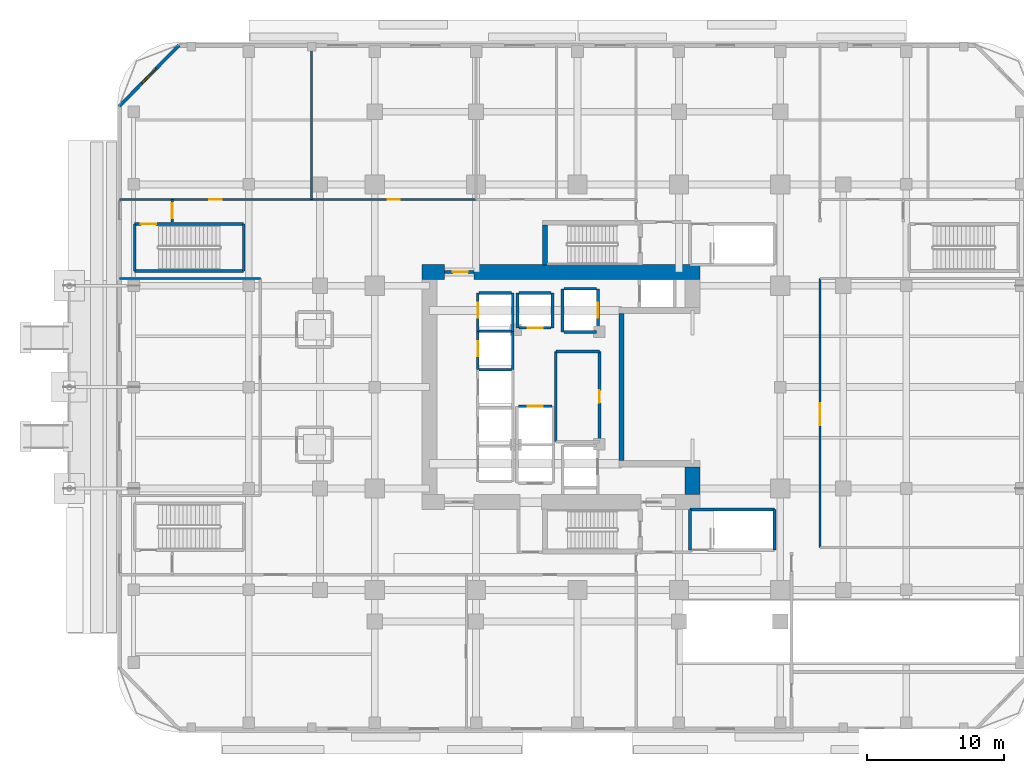
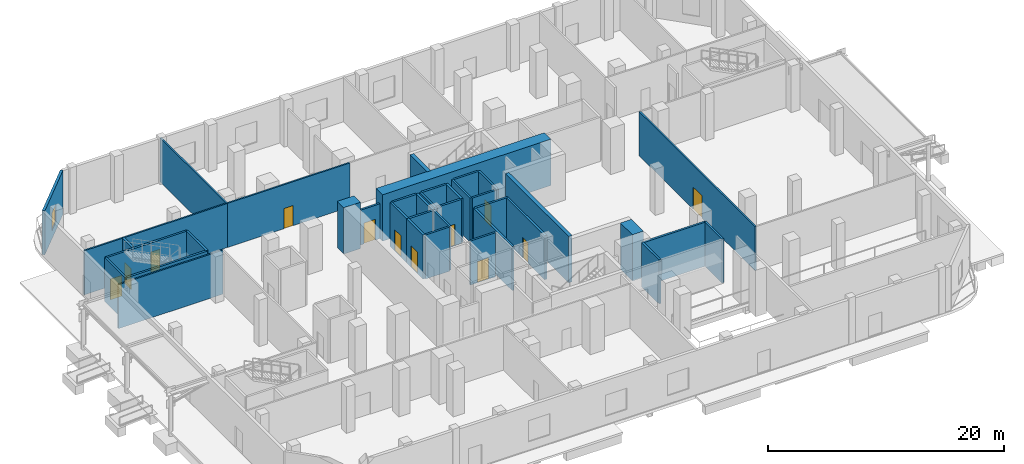
# One storey, part 15 of 24: 39 walls, 12 doors, 1 window, 13 openings.
"""IFC4 building model written with IfcOpenShell, lengths in metres."""

from ifc_helpers import new_model, si_unit, direction, frame, frame_2d, origin, place, context, subcontext, project, spatial, rectangle, extrude, material, layer, layer_set, type_object, element, fill, save


model = new_model("IFC4")

# Units and contexts
model_context = context("Model", 3, precision=1e-05, world=origin(), true_north=direction((0.0, 1.0)))
body_context = subcontext(model_context, "Body", "Model", "MODEL_VIEW")
ifc_project = project(units=[si_unit("LENGTHUNIT", "METRE"), si_unit("AREAUNIT", "SQUARE_METRE"), si_unit("VOLUMEUNIT", "CUBIC_METRE"), si_unit("PLANEANGLEUNIT", "RADIAN"), si_unit("MASSUNIT", "GRAM", prefix="KILO")], contexts=[model_context])

# Site, building, storey
site_placement = place(None, origin())
site = spatial("IfcSite", under=ifc_project, at=site_placement, CompositionType="ELEMENT")
building_placement = place(site_placement, origin())
building = spatial("IfcBuilding", under=site, at=building_placement, Name="Khorvyn Point Tower", CompositionType="ELEMENT")
storey_placement = place(building_placement, origin())
storey = spatial("IfcBuildingStorey", under=building, at=storey_placement, Name="L01", CompositionType="ELEMENT", Elevation=0.0)

# Wall, opening, window
ifc_material_1 = material(Name="Pale anodised aluminium rainscreen on steel stud", Category="steel")
ifc_layer_1 = layer(ifc_material_1, 0.239990234375)
ifc_layer_set_1 = layer_set([ifc_layer_1], Name="Anodised Aluminium Insulated Corner Spandrel Wall 240")
wall_type_1 = type_object("IfcWallType", Name="Anodised Aluminium Insulated Corner Spandrel Wall 240", PredefinedType="SOLIDWALL", material=ifc_layer_set_1)
wall_1_placement = place(storey_placement, frame((-33.449951171875, 20.5, 0.0), z_axis=(0.0, 0.0, 1.0), x_axis=(0.69901822973, 0.715103848756, 0.0)))
wall_1 = element("IfcWall", 1, at=wall_1_placement, inside=storey, type_object=wall_type_1, Name="L01 Rounded Corner Wall NW", PredefinedType="SOLIDWALL", context=body_context, shape_type="SweptSolid", body=[
    extrude(rectangle(XDim=6.222900390625, YDim=0.239990234375, at=frame_2d((3.111328125, 0.0))), origin(), (0.0, 0.0, 1.0), 4.56005859375),
])
opening_1_placement = place(wall_1_placement, frame((2.361572265625, 0.0, 0.85009765625)))
opening_1 = element("IfcOpeningElement", 2, at=opening_1_placement, cuts=wall_1, Name="Opening WN-1518", PredefinedType="OPENING", context=body_context, shape_type="SweptSolid", body=[
    extrude(rectangle(XDim=1.5, YDim=1.85009765625, at=frame_2d((0.75, 0.925048828125))), frame((0.0, 0.1298828125, 0.0), z_axis=(0.0, -1.0, 0.0), x_axis=(1.0, 0.0, 0.0)), (0.0, 0.0, 1.0), 0.260009765625),
])
ifc_material_2 = material(Name="Anodised aluminium 6063-T6 and laminated Low-E glass", Category="aluminium")
window_type = type_object("IfcWindowType", Name="Anodised Aluminium Rounded-Corner Panoramic Window 1500x1850", PartitioningType="SINGLE_PANEL", PredefinedType="WINDOW", material=ifc_material_2)
window_placement = place(opening_1_placement, origin())
window = element("IfcWindow", 3, at=window_placement, inside=storey, type_object=window_type, Name="L01 Corner Window NW", OverallHeight=1.85009765625, OverallWidth=1.5, PartitioningType="SINGLE_PANEL", PredefinedType="WINDOW", context=body_context, shape_type="SweptSolid", body=[
    extrude(rectangle(XDim=1.5, YDim=1.85009765625, at=frame_2d((0.75, 0.925048828125))), frame((0.0, 0.030029296875, 0.0), z_axis=(0.0, -1.0, 0.0), x_axis=(1.0, 0.0, 0.0)), (0.0, 0.0, 1.0), 0.06005859375),
])
fill(opening_1, window)

# Wall, opening, door
ifc_material_3 = material(Name="Concrete C40/50", Category="concrete")
ifc_layer_2 = layer(ifc_material_3, 0.199951171875)
ifc_layer_set_2 = layer_set([ifc_layer_2], Name="Concrete C40/50 Fire-Lobby Compartment Wall 200")
wall_type_2 = type_object("IfcWallType", Name="Concrete C40/50 Fire-Lobby Compartment Wall 200", PredefinedType="SOLIDWALL", material=ifc_layer_set_2)
wall_2_placement = place(storey_placement, frame((-9.699951171875, 8.39990234375, 0.0), z_axis=(0.0, 0.0, 1.0), x_axis=(1.0, 0.0, 0.0)))
wall_2 = element("IfcWall", 4, at=wall_2_placement, inside=storey, type_object=wall_type_2, Name="Wall", PredefinedType="SOLIDWALL", context=body_context, shape_type="SweptSolid", body=[
    extrude(rectangle(XDim=2.14990234375, YDim=0.199951171875, at=frame_2d((1.074951171875, 0.0))), origin(), (0.0, 0.0, 1.0), 3.60009765625),
])
opening_2_placement = place(wall_2_placement, frame((0.597900390625, 0.0, 0.0)))
opening_2 = element("IfcOpeningElement", 5, at=opening_2_placement, cuts=wall_2, Name="Opening ID-FL90", PredefinedType="OPENING", context=body_context, shape_type="SweptSolid", body=[
    extrude(rectangle(XDim=1.10009765625, YDim=2.14990234375, at=frame_2d((0.550048828125, 1.074951171875))), frame((0.0, 0.10986328125, 0.0), z_axis=(0.0, -1.0, 0.0), x_axis=(1.0, 0.0, 0.0)), (0.0, 0.0, 1.0), 0.219970703125),
])
ifc_material_4 = material(Name="Galvanised powder-coated steel", Category="steel")
door_type_1 = type_object("IfcDoorType", Name="Fire-Rated Steel Lobby and Stair Door 1100x2150", OperationType="NOTDEFINED", PredefinedType="DOOR", material=ifc_material_4)
door_1_placement = place(opening_2_placement, origin())
door_1 = element("IfcDoor", 6, at=door_1_placement, inside=storey, type_object=door_type_1, Name="Door", OperationType="SINGLE_SWING_RIGHT", OverallHeight=2.14990234375, OverallWidth=1.10009765625, PredefinedType="DOOR", context=body_context, shape_type="SweptSolid", body=[
    extrude(rectangle(XDim=1.10009765625, YDim=2.14990234375, at=frame_2d((0.550048828125, 1.074951171875))), frame((0.0, 0.02490234375, 0.0), z_axis=(0.0, -1.0, 0.0), x_axis=(1.0, 0.0, 0.0)), (0.0, 0.0, 1.0), 0.050048828125),
])
fill(opening_2, door_1)

wall_3_placement = place(storey_placement, frame((1.610107421875, -3.97998046875, 0.0), z_axis=(0.0, 0.0, 1.0), x_axis=(0.0, 1.0, 0.0)))
wall_3 = element("IfcWall", 7, at=wall_3_placement, inside=storey, type_object=wall_type_2, Name="Wall", PredefinedType="SOLIDWALL", context=body_context, shape_type="SweptSolid", body=[
    extrude(rectangle(XDim=6.580078125, YDim=0.199951171875, at=frame_2d((3.2900390625, 0.0))), origin(), (0.0, 0.0, 1.0), 4.56005859375),
])
opening_3_placement = place(wall_3_placement, frame((2.830078125, 0.0, 0.0)))
opening_3 = element("IfcOpeningElement", 8, at=opening_3_placement, cuts=wall_3, Name="Opening ID-RS60", PredefinedType="OPENING", context=body_context, shape_type="SweptSolid", body=[
    extrude(rectangle(XDim=0.919921875, YDim=2.10009765625, at=frame_2d((0.4599609375, 1.050048828125))), frame((0.0, 0.10986328125, 0.0), z_axis=(0.0, -1.0, 0.0), x_axis=(1.0, 0.0, 0.0)), (0.0, 0.0, 1.0), 0.219970703125),
])
door_type_2 = type_object("IfcDoorType", Name="Fire-Rated Riser and Store Steel Door 920x2100", OperationType="NOTDEFINED", PredefinedType="DOOR", material=ifc_material_4)
door_2_placement = place(opening_3_placement, origin())
door_2 = element("IfcDoor", 9, at=door_2_placement, inside=storey, type_object=door_type_2, Name="Door", OperationType="SINGLE_SWING_RIGHT", OverallHeight=2.10009765625, OverallWidth=0.919921875, PredefinedType="DOOR", context=body_context, shape_type="SweptSolid", body=[
    extrude(rectangle(XDim=0.919921875, YDim=2.10009765625, at=frame_2d((0.4599609375, 1.050048828125))), frame((0.0, 0.02490234375, 0.0), z_axis=(0.0, -1.0, 0.0), x_axis=(1.0, 0.0, 0.0)), (0.0, 0.0, 1.0), 0.050048828125),
])
fill(opening_3, door_2)

wall_4_placement = place(storey_placement, frame((-29.580078125, 12.06005859375, 0.0), z_axis=(0.0, 0.0, 1.0), x_axis=(0.0, 1.0, 0.0)))
wall_4 = element("IfcWall", 10, at=wall_4_placement, inside=storey, type_object=wall_type_2, Name="Wall", PredefinedType="SOLIDWALL", context=body_context, shape_type="SweptSolid", body=[
    extrude(rectangle(XDim=1.639892578125, YDim=0.199951171875, at=frame_2d((0.81982421875, 0.0))), origin(), (0.0, 0.0, 1.0), 4.56005859375),
])
opening_4_placement = place(wall_4_placement, frame((0.27001953125, 0.0, 0.0)))
opening_4 = element("IfcOpeningElement", 11, at=opening_4_placement, cuts=wall_4, Name="Opening ID-FL90", PredefinedType="OPENING", context=body_context, shape_type="SweptSolid", body=[
    extrude(rectangle(XDim=1.10009765625, YDim=2.14990234375, at=frame_2d((0.550048828125, 1.074951171875))), frame((0.0, 0.10986328125, 0.0), z_axis=(0.0, -1.0, 0.0), x_axis=(1.0, 0.0, 0.0)), (0.0, 0.0, 1.0), 0.219970703125),
])
door_3_placement = place(opening_4_placement, origin())
door_3 = element("IfcDoor", 12, at=door_3_placement, inside=storey, type_object=door_type_1, Name="Door", OperationType="SINGLE_SWING_RIGHT", OverallHeight=2.14990234375, OverallWidth=1.10009765625, PredefinedType="DOOR", context=body_context, shape_type="SweptSolid", body=[
    extrude(rectangle(XDim=1.10009765625, YDim=2.14990234375, at=frame_2d((0.550048828125, 1.074951171875))), frame((0.0, 0.02490234375, 0.0), z_axis=(0.0, -1.0, 0.0), x_axis=(1.0, 0.0, 0.0)), (0.0, 0.0, 1.0), 0.050048828125),
])
fill(opening_4, door_3)

# Walls
wall_5_placement = place(storey_placement, frame((-1.580078125, -3.97998046875, 0.0), z_axis=(0.0, 0.0, 1.0), x_axis=(0.0, 1.0, 0.0)))
element("IfcWall", 13, at=wall_5_placement, inside=storey, type_object=wall_type_2, Name="Wall", PredefinedType="SOLIDWALL", context=body_context, shape_type="SweptSolid", body=[
    extrude(rectangle(XDim=6.580078125, YDim=0.199951171875, at=frame_2d((3.2900390625, 0.0))), origin(), (0.0, 0.0, 1.0), 4.56005859375),
])
wall_6_placement = place(storey_placement, frame((-1.580078125, 2.60009765625, 0.0), z_axis=(0.0, 0.0, 1.0), x_axis=(1.0, 0.0, 0.0)))
element("IfcWall", 14, at=wall_6_placement, inside=storey, type_object=wall_type_2, Name="Wall", PredefinedType="SOLIDWALL", context=body_context, shape_type="SweptSolid", body=[
    extrude(rectangle(XDim=3.190185546875, YDim=0.199951171875, at=frame_2d((1.59521484375, 0.0))), origin(), (0.0, 0.0, 1.0), 4.56005859375),
])
ifc_layer_3 = layer(ifc_material_3, 0.35009765625)
ifc_layer_set_3 = layer_set([ifc_layer_3], Name="Concrete C40/50 Stair Shaft Structural Wall 350")
wall_type_3 = type_object("IfcWallType", Name="Concrete C40/50 Stair Shaft Structural Wall 350", PredefinedType="SHEAR", material=ifc_layer_set_3)
wall_7_placement = place(storey_placement, frame((3.219970703125, -5.375, 0.0), z_axis=(0.0, 0.0, 1.0), x_axis=(0.0, 1.0, 0.0)))
element("IfcWall", 15, at=wall_7_placement, inside=storey, type_object=wall_type_3, Name="Wall", PredefinedType="SHEAR", context=body_context, shape_type="SweptSolid", body=[
    extrude(rectangle(XDim=10.75, YDim=0.35009765625, at=frame_2d((5.375, 0.0))), origin(), (0.0, 0.0, 1.0), 4.800048828125),
])
wall_8_placement = place(storey_placement, frame((-2.3798828125, 8.89990234375, 0.0), z_axis=(0.0, 0.0, 1.0), x_axis=(0.0, 1.0, 0.0)))
element("IfcWall", 16, at=wall_8_placement, inside=storey, type_object=wall_type_3, Name="L01 ST-02 West Shaft Wall", PredefinedType="SHEAR", context=body_context, shape_type="SweptSolid", body=[
    extrude(rectangle(XDim=2.925048828125, YDim=0.35009765625, at=frame_2d((1.46240234375, 0.0))), origin(), (0.0, 0.0, 1.0), 4.800048828125),
])
ifc_layer_4 = layer(ifc_material_3, 0.199951171875)
ifc_layer_set_4 = layer_set([ifc_layer_4], Name="Concrete C40/50 Structural Hoistway and Stair Shaft Wall 200")
wall_type_4 = type_object("IfcWallType", Name="Concrete C40/50 Structural Hoistway and Stair Shaft Wall 200", PredefinedType="SHEAR", material=ifc_layer_set_4)
wall_9_placement = place(storey_placement, frame((-7.175048828125, 1.27490234375, 0.0), z_axis=(0.0, 0.0, 1.0), x_axis=(1.0, 0.0, 0.0)))
element("IfcWall", 17, at=wall_9_placement, inside=storey, type_object=wall_type_4, Name="Wall", PredefinedType="SHEAR", context=body_context, shape_type="SweptSolid", body=[
    extrude(rectangle(XDim=2.35009765625, YDim=0.199951171875, at=frame_2d((1.175048828125, 0.0))), origin(), (0.0, 0.0, 1.0), 4.56005859375),
])

# Wall, opening, door
wall_10_placement = place(storey_placement, frame((-7.27490234375, 1.27490234375, 0.0), z_axis=(0.0, 0.0, 1.0), x_axis=(0.0, 1.0, 0.0)))
wall_10 = element("IfcWall", 18, at=wall_10_placement, inside=storey, type_object=wall_type_4, Name="Wall", PredefinedType="SHEAR", context=body_context, shape_type="SweptSolid", body=[
    extrude(rectangle(XDim=2.800048828125, YDim=0.199951171875, at=frame_2d((1.39990234375, 0.0))), origin(), (0.0, 0.0, 1.0), 4.56005859375),
])
opening_5_placement = place(wall_10_placement, frame((0.97509765625, 0.0, 0.0)))
opening_5 = element("IfcOpeningElement", 19, at=opening_5_placement, cuts=wall_10, Name="Opening LD-1122", PredefinedType="OPENING", context=body_context, shape_type="SweptSolid", body=[
    extrude(rectangle(XDim=1.10009765625, YDim=2.199951171875, at=frame_2d((0.550048828125, 1.10009765625))), frame((0.0, 0.10986328125, 0.0), z_axis=(0.0, -1.0, 0.0), x_axis=(1.0, 0.0, 0.0)), (0.0, 0.0, 1.0), 0.219970703125),
])
ifc_material_5 = material(Name="Stainless steel 1.4301", Category="steel")
door_type_3 = type_object("IfcDoorType", Name="Stainless Steel Automatic Sliding Lift Landing Door 1100x2200", OperationType="SLIDING_TO_LEFT", PredefinedType="DOOR", material=ifc_material_5)
door_4_placement = place(opening_5_placement, origin())
door_4 = element("IfcDoor", 20, at=door_4_placement, inside=storey, type_object=door_type_3, Name="L01 RM-01 Sliding Lift Landing Door", OperationType="SLIDING_TO_LEFT", OverallHeight=2.199951171875, OverallWidth=1.10009765625, PredefinedType="DOOR", context=body_context, shape_type="SweptSolid", body=[
    extrude(rectangle(XDim=1.10009765625, YDim=2.199951171875, at=frame_2d((0.550048828125, 1.10009765625))), frame((0.0, 0.02490234375, 0.0), z_axis=(0.0, -1.0, 0.0), x_axis=(1.0, 0.0, 0.0)), (0.0, 0.0, 1.0), 0.050048828125),
])
fill(opening_5, door_4)

# Walls
wall_11_placement = place(storey_placement, frame((-4.72509765625, 1.27490234375, 0.0), z_axis=(0.0, 0.0, 1.0), x_axis=(0.0, 1.0, 0.0)))
element("IfcWall", 21, at=wall_11_placement, inside=storey, type_object=wall_type_4, Name="Wall", PredefinedType="SHEAR", context=body_context, shape_type="SweptSolid", body=[
    extrude(rectangle(XDim=2.800048828125, YDim=0.199951171875, at=frame_2d((1.39990234375, 0.0))), origin(), (0.0, 0.0, 1.0), 4.56005859375),
])
wall_12_placement = place(storey_placement, frame((-7.175048828125, 4.074951171875, 0.0), z_axis=(0.0, 0.0, 1.0), x_axis=(1.0, 0.0, 0.0)))
element("IfcWall", 22, at=wall_12_placement, inside=storey, type_object=wall_type_4, Name="Wall", PredefinedType="SHEAR", context=body_context, shape_type="SweptSolid", body=[
    extrude(rectangle(XDim=2.35009765625, YDim=0.199951171875, at=frame_2d((1.175048828125, 0.0))), origin(), (0.0, 0.0, 1.0), 4.56005859375),
])

# Wall, opening, door
wall_13_placement = place(storey_placement, frame((-7.27490234375, 4.074951171875, 0.0), z_axis=(0.0, 0.0, 1.0), x_axis=(0.0, 1.0, 0.0)))
wall_13 = element("IfcWall", 23, at=wall_13_placement, inside=storey, type_object=wall_type_4, Name="Wall", PredefinedType="SHEAR", context=body_context, shape_type="SweptSolid", body=[
    extrude(rectangle(XDim=2.800048828125, YDim=0.199951171875, at=frame_2d((1.39990234375, 0.0))), origin(), (0.0, 0.0, 1.0), 4.56005859375),
])
opening_6_placement = place(wall_13_placement, frame((0.97509765625, 0.0, 0.0)))
opening_6 = element("IfcOpeningElement", 24, at=opening_6_placement, cuts=wall_13, Name="Opening LD-1122", PredefinedType="OPENING", context=body_context, shape_type="SweptSolid", body=[
    extrude(rectangle(XDim=1.10009765625, YDim=2.199951171875, at=frame_2d((0.550048828125, 1.10009765625))), frame((0.0, 0.10986328125, 0.0), z_axis=(0.0, -1.0, 0.0), x_axis=(1.0, 0.0, 0.0)), (0.0, 0.0, 1.0), 0.219970703125),
])
door_5_placement = place(opening_6_placement, origin())
door_5 = element("IfcDoor", 25, at=door_5_placement, inside=storey, type_object=door_type_3, Name="L01 RM-02 Sliding Lift Landing Door", OperationType="SLIDING_TO_LEFT", OverallHeight=2.199951171875, OverallWidth=1.10009765625, PredefinedType="DOOR", context=body_context, shape_type="SweptSolid", body=[
    extrude(rectangle(XDim=1.10009765625, YDim=2.199951171875, at=frame_2d((0.550048828125, 1.10009765625))), frame((0.0, 0.02490234375, 0.0), z_axis=(0.0, -1.0, 0.0), x_axis=(1.0, 0.0, 0.0)), (0.0, 0.0, 1.0), 0.050048828125),
])
fill(opening_6, door_5)

# Walls
wall_14_placement = place(storey_placement, frame((-4.72509765625, 4.074951171875, 0.0), z_axis=(0.0, 0.0, 1.0), x_axis=(0.0, 1.0, 0.0)))
element("IfcWall", 26, at=wall_14_placement, inside=storey, type_object=wall_type_4, Name="Wall", PredefinedType="SHEAR", context=body_context, shape_type="SweptSolid", body=[
    extrude(rectangle(XDim=2.800048828125, YDim=0.199951171875, at=frame_2d((1.39990234375, 0.0))), origin(), (0.0, 0.0, 1.0), 4.56005859375),
])
wall_15_placement = place(storey_placement, frame((-7.175048828125, 6.875, 0.0), z_axis=(0.0, 0.0, 1.0), x_axis=(1.0, 0.0, 0.0)))
element("IfcWall", 27, at=wall_15_placement, inside=storey, type_object=wall_type_4, Name="Wall", PredefinedType="SHEAR", context=body_context, shape_type="SweptSolid", body=[
    extrude(rectangle(XDim=2.35009765625, YDim=0.199951171875, at=frame_2d((1.175048828125, 0.0))), origin(), (0.0, 0.0, 1.0), 4.56005859375),
])
for number, where, z_axis, x_axis, name in (
    (28, (-4.375, 4.324951171875, 0.0), (0.0, 0.0, 1.0), (0.0, 1.0, 0.0), "Wall"),
    (29, (-1.824951171875, 4.324951171875, 0.0), (0.0, 0.0, 1.0), (0.0, 1.0, 0.0), "Wall"),
):
    element("IfcWall", number, at=place(storey_placement, frame(where, z_axis=z_axis, x_axis=x_axis)), inside=storey, type_object=wall_type_4, Name=name, PredefinedType="SHEAR", context=body_context, shape_type="SweptSolid", body=[
        extrude(rectangle(XDim=2.550048828125, YDim=0.199951171875, at=frame_2d((1.27490234375, 0.0))), origin(), (0.0, 0.0, 1.0), 4.56005859375),
    ])

# Wall, opening, door
wall_16_placement = place(storey_placement, frame((-4.27490234375, 4.324951171875, 0.0), z_axis=(0.0, 0.0, 1.0), x_axis=(1.0, 0.0, 0.0)))
wall_16 = element("IfcWall", 30, at=wall_16_placement, inside=storey, type_object=wall_type_4, Name="Wall", PredefinedType="SHEAR", context=body_context, shape_type="SweptSolid", body=[
    extrude(rectangle(XDim=2.349853515625, YDim=0.199951171875, at=frame_2d((1.1748046875, 0.0))), origin(), (0.0, 0.0, 1.0), 4.56005859375),
])
opening_7_placement = place(wall_16_placement, frame((0.625, 0.0, 0.0)))
opening_7 = element("IfcOpeningElement", 31, at=opening_7_placement, cuts=wall_16, Name="Opening LD-1122", PredefinedType="OPENING", context=body_context, shape_type="SweptSolid", body=[
    extrude(rectangle(XDim=1.10009765625, YDim=2.199951171875, at=frame_2d((0.550048828125, 1.10009765625))), frame((0.0, 0.10986328125, 0.0), z_axis=(0.0, -1.0, 0.0), x_axis=(1.0, 0.0, 0.0)), (0.0, 0.0, 1.0), 0.219970703125),
])
door_6_placement = place(opening_7_placement, origin())
door_6 = element("IfcDoor", 32, at=door_6_placement, inside=storey, type_object=door_type_3, Name="L01 RM-03 Sliding Lift Landing Door", OperationType="SLIDING_TO_LEFT", OverallHeight=2.199951171875, OverallWidth=1.10009765625, PredefinedType="DOOR", context=body_context, shape_type="SweptSolid", body=[
    extrude(rectangle(XDim=1.10009765625, YDim=2.199951171875, at=frame_2d((0.550048828125, 1.10009765625))), frame((0.0, 0.02490234375, 0.0), z_axis=(0.0, -1.0, 0.0), x_axis=(1.0, 0.0, 0.0)), (0.0, 0.0, 1.0), 0.050048828125),
])
fill(opening_7, door_6)

# Wall
wall_17_placement = place(storey_placement, frame((-4.27490234375, 6.875, 0.0), z_axis=(0.0, 0.0, 1.0), x_axis=(1.0, 0.0, 0.0)))
element("IfcWall", 33, at=wall_17_placement, inside=storey, type_object=wall_type_4, Name="Wall", PredefinedType="SHEAR", context=body_context, shape_type="SweptSolid", body=[
    extrude(rectangle(XDim=2.349853515625, YDim=0.199951171875, at=frame_2d((1.1748046875, 0.0))), origin(), (0.0, 0.0, 1.0), 4.56005859375),
])

# Wall, opening, door
wall_18_placement = place(storey_placement, frame((-4.324951171875, -1.39990234375, 0.0), z_axis=(0.0, 0.0, 1.0), x_axis=(1.0, 0.0, 0.0)))
wall_18 = element("IfcWall", 34, at=wall_18_placement, inside=storey, type_object=wall_type_4, Name="Wall", PredefinedType="SHEAR", context=body_context, shape_type="SweptSolid", body=[
    extrude(rectangle(XDim=2.449951171875, YDim=0.199951171875, at=frame_2d((1.22509765625, 0.0))), origin(), (0.0, 0.0, 1.0), 4.56005859375),
])
opening_8_placement = place(wall_18_placement, frame((0.675048828125, 0.0, 0.0)))
opening_8 = element("IfcOpeningElement", 35, at=opening_8_placement, cuts=wall_18, Name="Opening LD-1122", PredefinedType="OPENING", context=body_context, shape_type="SweptSolid", body=[
    extrude(rectangle(XDim=1.10009765625, YDim=2.199951171875, at=frame_2d((0.550048828125, 1.10009765625))), frame((0.0, 0.10986328125, 0.0), z_axis=(0.0, -1.0, 0.0), x_axis=(1.0, 0.0, 0.0)), (0.0, 0.0, 1.0), 0.219970703125),
])
door_7_placement = place(opening_8_placement, origin())
door_7 = element("IfcDoor", 36, at=door_7_placement, inside=storey, type_object=door_type_3, Name="L01 RS-02 Sliding Lift Landing Door", OperationType="SLIDING_TO_LEFT", OverallHeight=2.199951171875, OverallWidth=1.10009765625, PredefinedType="DOOR", context=body_context, shape_type="SweptSolid", body=[
    extrude(rectangle(XDim=1.10009765625, YDim=2.199951171875, at=frame_2d((0.550048828125, 1.10009765625))), frame((0.0, 0.02490234375, 0.0), z_axis=(0.0, -1.0, 0.0), x_axis=(1.0, 0.0, 0.0)), (0.0, 0.0, 1.0), 0.050048828125),
])
fill(opening_8, door_7)

# Wall
wall_19_placement = place(storey_placement, frame((-1.10009765625, 4.02490234375, 0.0), z_axis=(0.0, 0.0, 1.0), x_axis=(0.0, 1.0, 0.0)))
element("IfcWall", 37, at=wall_19_placement, inside=storey, type_object=wall_type_4, Name="Wall", PredefinedType="SHEAR", context=body_context, shape_type="SweptSolid", body=[
    extrude(rectangle(XDim=3.150146484375, YDim=0.199951171875, at=frame_2d((1.5751953125, 0.0))), origin(), (0.0, 0.0, 1.0), 4.56005859375),
])

# Wall, opening, door
wall_20_placement = place(storey_placement, frame((1.5, 4.02490234375, 0.0), z_axis=(0.0, 0.0, 1.0), x_axis=(0.0, 1.0, 0.0)))
wall_20 = element("IfcWall", 38, at=wall_20_placement, inside=storey, type_object=wall_type_4, Name="Wall", PredefinedType="SHEAR", context=body_context, shape_type="SweptSolid", body=[
    extrude(rectangle(XDim=3.150146484375, YDim=0.199951171875, at=frame_2d((1.5751953125, 0.0))), origin(), (0.0, 0.0, 1.0), 4.56005859375),
])
opening_9_placement = place(wall_20_placement, frame((1.02490234375, 0.0, 0.0)))
opening_9 = element("IfcOpeningElement", 39, at=opening_9_placement, cuts=wall_20, Name="Opening LD-1122", PredefinedType="OPENING", context=body_context, shape_type="SweptSolid", body=[
    extrude(rectangle(XDim=1.10009765625, YDim=2.199951171875, at=frame_2d((0.550048828125, 1.10009765625))), frame((0.0, 0.10986328125, 0.0), z_axis=(0.0, -1.0, 0.0), x_axis=(1.0, 0.0, 0.0)), (0.0, 0.0, 1.0), 0.219970703125),
])
door_8_placement = place(opening_9_placement, origin())
door_8 = element("IfcDoor", 40, at=door_8_placement, inside=storey, type_object=door_type_3, Name="L01 SV-01 Sliding Lift Landing Door", OperationType="SLIDING_TO_LEFT", OverallHeight=2.199951171875, OverallWidth=1.10009765625, PredefinedType="DOOR", context=body_context, shape_type="SweptSolid", body=[
    extrude(rectangle(XDim=1.10009765625, YDim=2.199951171875, at=frame_2d((0.550048828125, 1.10009765625))), frame((0.0, 0.02490234375, 0.0), z_axis=(0.0, -1.0, 0.0), x_axis=(1.0, 0.0, 0.0)), (0.0, 0.0, 1.0), 0.050048828125),
])
fill(opening_9, door_8)

# Walls
for number, where, z_axis, x_axis, name in (
    (41, (-1.0, 4.02490234375, 0.0), (0.0, 0.0, 1.0), (1.0, 0.0, 0.0), "Wall"),
    (42, (-1.0, 7.175048828125, 0.0), (0.0, 0.0, 1.0), (1.0, 0.0, 0.0), "Wall"),
):
    element("IfcWall", number, at=place(storey_placement, frame(where, z_axis=z_axis, x_axis=x_axis)), inside=storey, type_object=wall_type_4, Name=name, PredefinedType="SHEAR", context=body_context, shape_type="SweptSolid", body=[
        extrude(rectangle(XDim=2.39990234375, YDim=0.199951171875, at=frame_2d((1.199951171875, 0.0))), origin(), (0.0, 0.0, 1.0), 4.56005859375),
    ])
for number, where, z_axis, x_axis, name in (
    (43, (8.219970703125, -11.89990234375, 0.0), (0.0, 0.0, 1.0), (0.0, 1.0, 0.0), "Wall"),
    (44, (14.3798828125, -8.93994140625, 0.0), (0.0, 0.0, 1.0), (0.0, -1.0, 0.0), "Wall"),
):
    element("IfcWall", number, at=place(storey_placement, frame(where, z_axis=z_axis, x_axis=x_axis)), inside=storey, type_object=wall_type_4, Name=name, PredefinedType="SHEAR", context=body_context, shape_type="SweptSolid", body=[
        extrude(rectangle(XDim=2.9599609375, YDim=0.199951171875, at=frame_2d((1.47998046875, 0.0))), origin(), (0.0, 0.0, 1.0), 4.56005859375),
    ])
wall_21_placement = place(storey_placement, frame((8.219970703125, -8.93994140625, 0.0), z_axis=(0.0, 0.0, 1.0), x_axis=(1.0, 0.0, 0.0)))
element("IfcWall", 45, at=wall_21_placement, inside=storey, type_object=wall_type_4, Name="Wall", PredefinedType="SHEAR", context=body_context, shape_type="SweptSolid", body=[
    extrude(rectangle(XDim=6.159912109375, YDim=0.199951171875, at=frame_2d((3.080078125, 0.0))), origin(), (0.0, 0.0, 1.0), 4.56005859375),
])
for number, where, z_axis, x_axis, name in (
    (46, (-32.330078125, 8.47998046875, 0.0), (0.0, 0.0, 1.0), (0.0, 1.0, 0.0), "Wall"),
    (47, (-24.3701171875, 11.89990234375, 0.0), (0.0, 0.0, 1.0), (0.0, -1.0, 0.0), "Wall"),
):
    element("IfcWall", number, at=place(storey_placement, frame(where, z_axis=z_axis, x_axis=x_axis)), inside=storey, type_object=wall_type_4, Name=name, PredefinedType="SHEAR", context=body_context, shape_type="SweptSolid", body=[
        extrude(rectangle(XDim=3.419921875, YDim=0.199951171875, at=frame_2d((1.7099609375, 0.0))), origin(), (0.0, 0.0, 1.0), 4.56005859375),
    ])
wall_22_placement = place(storey_placement, frame((-24.3701171875, 8.47998046875, 0.0), z_axis=(0.0, 0.0, 1.0), x_axis=(-1.0, 0.0, 0.0)))
element("IfcWall", 48, at=wall_22_placement, inside=storey, type_object=wall_type_4, Name="Wall", PredefinedType="SHEAR", context=body_context, shape_type="SweptSolid", body=[
    extrude(rectangle(XDim=7.9599609375, YDim=0.199951171875, at=frame_2d((3.97998046875, 0.0))), origin(), (0.0, 0.0, 1.0), 4.56005859375),
])

# Wall, opening, door
wall_23_placement = place(storey_placement, frame((-32.330078125, 11.89990234375, 0.0), z_axis=(0.0, 0.0, 1.0), x_axis=(1.0, 0.0, 0.0)))
wall_23 = element("IfcWall", 49, at=wall_23_placement, inside=storey, type_object=wall_type_4, Name="Wall", PredefinedType="SHEAR", context=body_context, shape_type="SweptSolid", body=[
    extrude(rectangle(XDim=7.9599609375, YDim=0.199951171875, at=frame_2d((3.97998046875, 0.0))), origin(), (0.0, 0.0, 1.0), 4.56005859375),
])
opening_10_placement = place(wall_23_placement, frame((0.4599609375, 0.0, 0.0)))
opening_10 = element("IfcOpeningElement", 50, at=opening_10_placement, cuts=wall_23, Name="Opening ID-FL90", PredefinedType="OPENING", context=body_context, shape_type="SweptSolid", body=[
    extrude(rectangle(XDim=1.10009765625, YDim=2.14990234375, at=frame_2d((0.550048828125, 1.074951171875))), frame((0.0, 0.10986328125, 0.0), z_axis=(0.0, -1.0, 0.0), x_axis=(1.0, 0.0, 0.0)), (0.0, 0.0, 1.0), 0.219970703125),
])
door_9_placement = place(opening_10_placement, origin())
door_9 = element("IfcDoor", 51, at=door_9_placement, inside=storey, type_object=door_type_1, Name="L01 ST-S2 Smokeproof Landing Door", OperationType="SINGLE_SWING_RIGHT", OverallHeight=2.14990234375, OverallWidth=1.10009765625, PredefinedType="DOOR", context=body_context, shape_type="SweptSolid", body=[
    extrude(rectangle(XDim=1.10009765625, YDim=2.14990234375, at=frame_2d((0.550048828125, 1.074951171875))), frame((0.0, 0.02490234375, 0.0), z_axis=(0.0, -1.0, 0.0), x_axis=(1.0, 0.0, 0.0)), (0.0, 0.0, 1.0), 0.050048828125),
])
fill(opening_10, door_9)

# Walls
ifc_material_6 = material(Name="Concrete C50/60", Category="concrete")
ifc_layer_5 = layer(ifc_material_6, 1.10009765625)
ifc_layer_set_5 = layer_set([ifc_layer_5], Name="Concrete C50/60 Core Shear Wall 1100")
wall_type_5 = type_object("IfcWallType", Name="Concrete C50/60 Core Shear Wall 1100", PredefinedType="SHEAR", material=ifc_layer_set_5)
wall_24_placement = place(storey_placement, frame((-11.35009765625, 8.39990234375, 0.0), z_axis=(0.0, 0.0, 1.0), x_axis=(1.0, 0.0, 0.0)))
element("IfcWall", 52, at=wall_24_placement, inside=storey, type_object=wall_type_5, Name="Wall", PredefinedType="SHEAR", context=body_context, shape_type="SweptSolid", body=[
    extrude(rectangle(XDim=1.650146484375, YDim=1.10009765625, at=frame_2d((0.8251953125, 0.0))), origin(), (0.0, 0.0, 1.0), 4.800048828125),
])
wall_25_placement = place(storey_placement, frame((-7.550048828125, 8.39990234375, 0.0), z_axis=(0.0, 0.0, 1.0), x_axis=(1.0, 0.0, 0.0)))
element("IfcWall", 53, at=wall_25_placement, inside=storey, type_object=wall_type_5, Name="Wall", PredefinedType="SHEAR", context=body_context, shape_type="SweptSolid", body=[
    extrude(rectangle(XDim=16.5, YDim=1.10009765625, at=frame_2d((8.25, 0.0))), origin(), (0.0, 0.0, 1.0), 4.800048828125),
])
wall_26_placement = place(storey_placement, frame((8.39990234375, -7.85009765625, 0.0), z_axis=(0.0, 0.0, 1.0), x_axis=(0.0, 1.0, 0.0)))
element("IfcWall", 54, at=wall_26_placement, inside=storey, type_object=wall_type_5, Name="Wall", PredefinedType="SHEAR", context=body_context, shape_type="SweptSolid", body=[
    extrude(rectangle(XDim=2.025146484375, YDim=1.10009765625, at=frame_2d((1.0126953125, 0.0))), origin(), (0.0, 0.0, 1.0), 4.800048828125),
])

# Wall, opening, door
ifc_material_7 = material(Name="Moisture-resistant gypsum and cement board", Category="gypsum")
ifc_layer_6 = layer(ifc_material_7, 0.14990234375)
ifc_layer_set_6 = layer_set([ifc_layer_6], Name="Moisture-Resistant Wet-Room Partition Wall 150")
wall_type_6 = type_object("IfcWallType", Name="Moisture-Resistant Wet-Room Partition Wall 150", PredefinedType="PARTITIONING", material=ifc_layer_set_6)
wall_27_placement = place(storey_placement, frame((-33.419921875, 13.699951171875, 0.0), z_axis=(0.0, 0.0, 1.0), x_axis=(1.0, 0.0, 0.0)))
wall_27 = element("IfcWall", 55, at=wall_27_placement, inside=storey, type_object=wall_type_6, Name="Wall", PredefinedType="PARTITIONING", context=body_context, shape_type="SweptSolid", body=[
    extrude(rectangle(XDim=14.0, YDim=0.14990234375, at=frame_2d((7.0, 0.0))), origin(), (0.0, 0.0, 1.0), 4.56005859375),
])
opening_11_placement = place(wall_27_placement, frame((6.550048828125, 0.0, 0.0)))
opening_11 = element("IfcOpeningElement", 56, at=opening_11_placement, cuts=wall_27, Name="Opening ID-RM90", PredefinedType="OPENING", context=body_context, shape_type="SweptSolid", body=[
    extrude(rectangle(XDim=0.89990234375, YDim=2.10009765625, at=frame_2d((0.449951171875, 1.050048828125))), frame((0.0, 0.0849609375, 0.0), z_axis=(0.0, -1.0, 0.0), x_axis=(1.0, 0.0, 0.0)), (0.0, 0.0, 1.0), 0.169921875),
])
ifc_material_8 = material(Name="Engineered oak veneer timber", Category="wood")
door_type_4 = type_object("IfcDoorType", Name="Flush Engineered Timber Room Door 900x2100", OperationType="NOTDEFINED", PredefinedType="DOOR", material=ifc_material_8)
door_10_placement = place(opening_11_placement, origin())
door_10 = element("IfcDoor", 57, at=door_10_placement, inside=storey, type_object=door_type_4, Name="Door", OperationType="SINGLE_SWING_RIGHT", OverallHeight=2.10009765625, OverallWidth=0.89990234375, PredefinedType="DOOR", context=body_context, shape_type="SweptSolid", body=[
    extrude(rectangle(XDim=0.89990234375, YDim=2.10009765625, at=frame_2d((0.449951171875, 1.050048828125))), frame((0.0, 0.02490234375, 0.0), z_axis=(0.0, -1.0, 0.0), x_axis=(1.0, 0.0, 0.0)), (0.0, 0.0, 1.0), 0.050048828125),
])
fill(opening_11, door_10)

wall_28_placement = place(storey_placement, frame((-19.419921875, 13.699951171875, 0.0), z_axis=(0.0, 0.0, 1.0), x_axis=(1.0, 0.0, 0.0)))
wall_28 = element("IfcWall", 58, at=wall_28_placement, inside=storey, type_object=wall_type_6, Name="Wall", PredefinedType="PARTITIONING", context=body_context, shape_type="SweptSolid", body=[
    extrude(rectangle(XDim=12.0, YDim=0.14990234375, at=frame_2d((6.0, 0.0))), origin(), (0.0, 0.0, 1.0), 4.56005859375),
])
opening_12_placement = place(wall_28_placement, frame((5.550048828125, 0.0, 0.0)))
opening_12 = element("IfcOpeningElement", 59, at=opening_12_placement, cuts=wall_28, Name="Opening ID-RM90", PredefinedType="OPENING", context=body_context, shape_type="SweptSolid", body=[
    extrude(rectangle(XDim=0.89990234375, YDim=2.10009765625, at=frame_2d((0.449951171875, 1.050048828125))), frame((0.0, 0.0849609375, 0.0), z_axis=(0.0, -1.0, 0.0), x_axis=(1.0, 0.0, 0.0)), (0.0, 0.0, 1.0), 0.169921875),
])
door_11_placement = place(opening_12_placement, origin())
door_11 = element("IfcDoor", 60, at=door_11_placement, inside=storey, type_object=door_type_4, Name="Door", OperationType="SINGLE_SWING_LEFT", OverallHeight=2.10009765625, OverallWidth=0.89990234375, PredefinedType="DOOR", context=body_context, shape_type="SweptSolid", body=[
    extrude(rectangle(XDim=0.89990234375, YDim=2.10009765625, at=frame_2d((0.449951171875, 1.050048828125))), frame((0.0, 0.02490234375, 0.0), z_axis=(0.0, -1.0, 0.0), x_axis=(1.0, 0.0, 0.0)), (0.0, 0.0, 1.0), 0.050048828125),
])
fill(opening_12, door_11)

wall_29_placement = place(storey_placement, frame((17.699951171875, -11.699951171875, 0.0), z_axis=(0.0, 0.0, 1.0), x_axis=(0.0, 1.0, 0.0)))
wall_29 = element("IfcWall", 61, at=wall_29_placement, inside=storey, type_object=wall_type_6, Name="Wall", PredefinedType="PARTITIONING", context=body_context, shape_type="SweptSolid", body=[
    extrude(rectangle(XDim=19.619873046875, YDim=0.14990234375, at=frame_2d((9.81005859375, 0.0))), origin(), (0.0, 0.0, 1.0), 4.56005859375),
])
opening_13_placement = place(wall_29_placement, frame((8.920654296875, 0.0, 0.0)))
opening_13 = element("IfcOpeningElement", 62, at=opening_13_placement, cuts=wall_29, Name="Opening ID-LB30", PredefinedType="OPENING", context=body_context, shape_type="SweptSolid", body=[
    extrude(rectangle(XDim=1.60009765625, YDim=2.300048828125, at=frame_2d((0.800048828125, 1.14990234375))), frame((0.0, 0.0849609375, 0.0), z_axis=(0.0, -1.0, 0.0), x_axis=(1.0, 0.0, 0.0)), (0.0, 0.0, 1.0), 0.169921875),
])
ifc_material_9 = material(Name="Anodised aluminium 6063-T6 and tempered glass", Category="aluminium")
door_type_5 = type_object("IfcDoorType", Name="Glazed Aluminium Sky-Lobby Double Swing Door 1600x2300", OperationType="DOUBLE_DOOR_SINGLE_SWING", PredefinedType="DOOR", material=ifc_material_9)
door_12_placement = place(opening_13_placement, origin())
door_12 = element("IfcDoor", 63, at=door_12_placement, inside=storey, type_object=door_type_5, Name="Door", OperationType="SINGLE_SWING_LEFT", OverallHeight=2.300048828125, OverallWidth=1.60009765625, PredefinedType="DOOR", context=body_context, shape_type="SweptSolid", body=[
    extrude(rectangle(XDim=1.60009765625, YDim=2.300048828125, at=frame_2d((0.800048828125, 1.14990234375))), frame((0.0, 0.02490234375, 0.0), z_axis=(0.0, -1.0, 0.0), x_axis=(1.0, 0.0, 0.0)), (0.0, 0.0, 1.0), 0.050048828125),
])
fill(opening_13, door_12)

# Walls
wall_30_placement = place(storey_placement, frame((-19.419921875, 13.699951171875, 0.0), z_axis=(0.0, 0.0, 1.0), x_axis=(0.0, 1.0, 0.0)))
element("IfcWall", 64, at=wall_30_placement, inside=storey, type_object=wall_type_6, Name="Wall", PredefinedType="PARTITIONING", context=body_context, shape_type="SweptSolid", body=[
    extrude(rectangle(XDim=11.219970703125, YDim=0.14990234375, at=frame_2d((5.60986328125, 0.0))), origin(), (0.0, 0.0, 1.0), 4.56005859375),
])
wall_31_placement = place(storey_placement, frame((-33.419921875, 7.919921875, 0.0), z_axis=(0.0, 0.0, 1.0), x_axis=(1.0, 0.0, 0.0)))
element("IfcWall", 65, at=wall_31_placement, inside=storey, type_object=wall_type_6, Name="Wall", PredefinedType="PARTITIONING", context=body_context, shape_type="SweptSolid", body=[
    extrude(rectangle(XDim=10.260009765625, YDim=0.14990234375, at=frame_2d((5.1298828125, 0.0))), origin(), (0.0, 0.0, 1.0), 4.56005859375),
])

save(model, "model.ifc")
